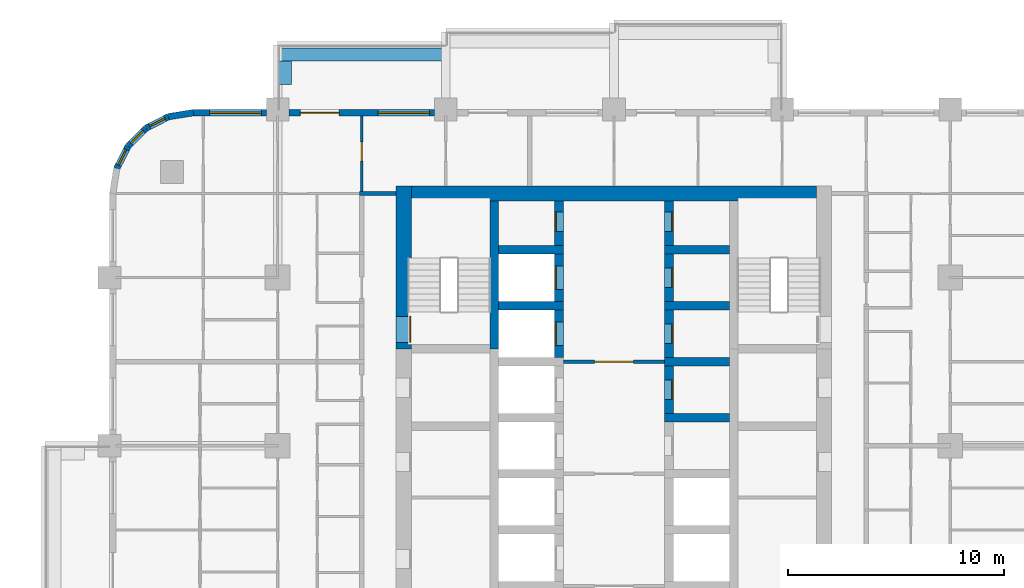
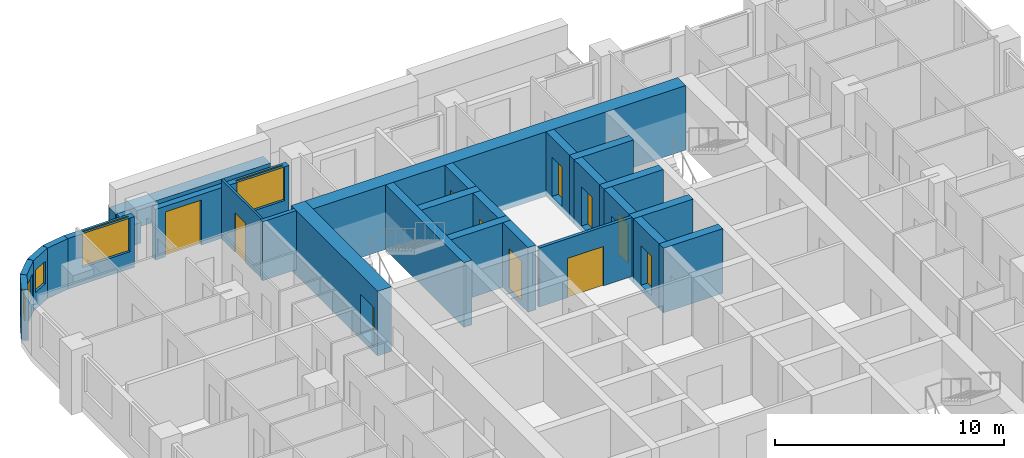
# One storey, part 11 of 17: 27 walls, 11 doors, 5 windows, 16 openings.
"""IFC4 building model written with IfcOpenShell, lengths in metres."""

from ifc_helpers import new_model, si_unit, direction, frame, frame_2d, origin, place, context, subcontext, project, spatial, rectangle, extrude, material, layer, layer_set, type_object, element, fill, save


model = new_model("IFC4")

# Units and contexts
model_context = context("Model", 3, precision=1e-05, world=origin(), true_north=direction((0.0, 1.0)))
body_context = subcontext(model_context, "Body", "Model", "MODEL_VIEW")
ifc_project = project(units=[si_unit("LENGTHUNIT", "METRE"), si_unit("AREAUNIT", "SQUARE_METRE"), si_unit("VOLUMEUNIT", "CUBIC_METRE"), si_unit("PLANEANGLEUNIT", "RADIAN"), si_unit("MASSUNIT", "GRAM", prefix="KILO")], contexts=[model_context])

# Site, building, storey
site_placement = place(None, origin())
site = spatial("IfcSite", under=ifc_project, at=site_placement, CompositionType="ELEMENT")
building_placement = place(site_placement, origin())
building = spatial("IfcBuilding", under=site, at=building_placement, Name="Ludao Terraces", CompositionType="ELEMENT")
storey_placement = place(building_placement, frame((0.0, 0.0, 51.199951171875)))
storey = spatial("IfcBuildingStorey", under=building, at=storey_placement, Name="L13", CompositionType="ELEMENT", Elevation=51.199951171875)

# Wall, opening, door
ifc_material_1 = material(Name="Concrete C70", Category="concrete")
ifc_layer_1 = layer(ifc_material_1, 0.699951171875)
ifc_layer_set_1 = layer_set([ifc_layer_1], Name="Core wall 700 C70")
wall_type_1 = type_object("IfcWallType", Name="Core wall 700 C70", PredefinedType="SOLIDWALL", material=ifc_layer_set_1)
wall_1_placement = place(storey_placement, frame((75.25, 77.300048828125, -0.300048828125), z_axis=(0.0, 0.0, 1.0), x_axis=(0.0, 1.0, 0.0)))
wall_1 = element("IfcWall", 1, at=wall_1_placement, inside=storey, type_object=wall_type_1, Name="Core wall L13 outer-W-S1", PredefinedType="SOLIDWALL", context=body_context, shape_type="SweptSolid", body=[
    extrude(rectangle(XDim=7.550048828125, YDim=0.699951171875, at=frame_2d((3.77490234375, 0.0))), origin(), (0.0, 0.0, 1.0), 3.4501953125),
])
opening_1_placement = place(wall_1_placement, frame((0.300048828125, 0.0, 0.300048828125)))
opening_1 = element("IfcOpeningElement", 2, at=opening_1_placement, cuts=wall_1, Name="Opening R04-131", PredefinedType="OPENING", context=body_context, shape_type="SweptSolid", body=[
    extrude(rectangle(XDim=1.199951171875, YDim=2.10009765625, at=frame_2d((0.60009765625, 1.050048828125))), frame((0.0, 0.35986328125, 0.0), z_axis=(0.0, -1.0, 0.0), x_axis=(1.0, 0.0, 0.0)), (0.0, 0.0, 1.0), 0.719970703125),
])
ifc_material_2 = material(Name="Steel Q235", Category="steel")
door_type_1 = type_object("IfcDoorType", Name="INT Stair door 1200", OperationType="DOUBLE_DOOR_SINGLE_SWING", PredefinedType="DOOR", material=ifc_material_2)
door_1_placement = place(opening_1_placement, origin())
door_1 = element("IfcDoor", 3, at=door_1_placement, inside=storey, type_object=door_type_1, Name="DOOR 131", OperationType="DOUBLE_DOOR_SINGLE_SWING", OverallHeight=2.10009765625, OverallWidth=1.199951171875, PredefinedType="DOOR", context=body_context, shape_type="SweptSolid", body=[
    extrude(rectangle(XDim=1.199951171875, YDim=2.10009765625, at=frame_2d((0.60009765625, 1.050048828125))), frame((0.0, -0.28515625, 0.0), z_axis=(0.0, -1.0, 0.0), x_axis=(1.0, 0.0, 0.0)), (0.0, 0.0, 1.0), 0.050048828125),
])
fill(opening_1, door_1)

# Walls
wall_2_placement = place(storey_placement, frame((75.60009765625, 84.5, -0.300048828125), z_axis=(0.0, 0.0, 1.0), x_axis=(1.0, 0.0, 0.0)))
element("IfcWall", 4, at=wall_2_placement, inside=storey, type_object=wall_type_1, Name="Core wall L13 outer-N", PredefinedType="SOLIDWALL", context=body_context, shape_type="SweptSolid", body=[
    extrude(rectangle(XDim=18.7998046875, YDim=0.699951171875, at=frame_2d((9.39990234375, 0.0))), origin(), (0.0, 0.0, 1.0), 3.4501953125),
])
ifc_material_3 = material(Name="Concrete C40", Category="concrete")
ifc_layer_2 = layer(ifc_material_3, 0.60009765625)
ifc_layer_set_2 = layer_set([ifc_layer_2], Name="ENV Planter trough 600")
wall_type_2 = type_object("IfcWallType", Name="ENV Planter trough 600", PredefinedType="USERDEFINED", material=ifc_layer_set_2)
wall_3_placement = place(storey_placement, frame((69.39990234375, 90.949951171875, 0.0), z_axis=(0.0, 0.0, 1.0), x_axis=(1.0, 0.0, 0.0)))
element("IfcWall", 5, at=wall_3_placement, inside=storey, type_object=wall_type_2, Name="PL-L13-N1", ObjectType="PLANTER", PredefinedType="USERDEFINED", context=body_context, shape_type="SweptSolid", body=[
    extrude(rectangle(XDim=7.800048828125, YDim=0.60009765625, at=frame_2d((3.89990234375, 0.0))), origin(), (0.0, 0.0, 1.0), 1.10009765625),
])
wall_4_placement = place(storey_placement, frame((69.75, 90.64990234375, 0.0), z_axis=(0.0, 0.0, 1.0), x_axis=(0.0, -1.0, 0.0)))
element("IfcWall", 6, at=wall_4_placement, inside=storey, type_object=wall_type_2, Name="PL-L13-N1-SA", ObjectType="PLANTER", PredefinedType="USERDEFINED", context=body_context, shape_type="SweptSolid", body=[
    extrude(rectangle(XDim=1.099853515625, YDim=0.60009765625, at=frame_2d((0.5498046875, 0.0))), origin(), (0.0, 0.0, 1.0), 1.10009765625),
])

# Wall, opening, window
ifc_material_4 = material(Name="Granite cladding", Category="masonry")
ifc_layer_3 = layer(ifc_material_4, 0.0400390625, Category="stone")
ifc_material_5 = material(Name="Mineral wool")
ifc_layer_4 = layer(ifc_material_5, 0.06005859375)
ifc_layer_5 = layer(ifc_material_3, 0.199951171875, Category="concrete")
ifc_layer_set_3 = layer_set([ifc_layer_3, ifc_layer_4, ifc_layer_5], Name="ENV Stone-clad wall 300")
wall_type_3 = type_object("IfcWallType", Name="ENV Stone-clad wall 300", PredefinedType="SOLIDWALL", material=ifc_layer_set_3)
wall_5_placement = place(storey_placement, frame((65.5, 88.25, 0.0), z_axis=(0.0, 0.0, 1.0), x_axis=(1.0, 0.0, 0.0)))
wall_5 = element("IfcWall", 7, at=wall_5_placement, inside=storey, type_object=wall_type_3, Name="EW-L13-N1", PredefinedType="SOLIDWALL", context=body_context, shape_type="SweptSolid", body=[
    extrude(rectangle(XDim=3.375, YDim=0.300048828125, at=frame_2d((1.6875, 0.0))), origin(), (0.0, 0.0, 1.0), 2.699951171875),
])
opening_2_placement = place(wall_5_placement, frame((0.75, 0.0, 0.89990234375)))
opening_2 = element("IfcOpeningElement", 8, at=opening_2_placement, cuts=wall_5, Name="Opening W1", PredefinedType="OPENING", context=body_context, shape_type="SweptSolid", body=[
    extrude(rectangle(XDim=2.39990234375, YDim=1.800048828125, at=frame_2d((1.199951171875, 0.89990234375))), frame((0.0, 0.16015625, 0.0), z_axis=(0.0, -1.0, 0.0), x_axis=(1.0, 0.0, 0.0)), (0.0, 0.0, 1.0), 0.320068359375),
])
ifc_material_6 = material(Name="Clear glass in aluminium frame", Category="aluminium")
ifc_layer_6 = layer(ifc_material_6, 0.06005859375)
ifc_layer_set_4 = layer_set([ifc_layer_6], Name="ENV Window W1 2400x1800")
window_type_1 = type_object("IfcWindowType", Name="ENV Window W1 2400x1800", PartitioningType="DOUBLE_PANEL_VERTICAL", PredefinedType="WINDOW", material=ifc_layer_set_4)
window_1_placement = place(opening_2_placement, origin())
window_1 = element("IfcWindow", 9, at=window_1_placement, inside=storey, type_object=window_type_1, Name="W-L13-N1-1", OverallHeight=1.800048828125, OverallWidth=2.39990234375, PartitioningType="DOUBLE_PANEL_VERTICAL", PredefinedType="WINDOW", context=body_context, shape_type="SweptSolid", body=[
    extrude(rectangle(XDim=2.39990234375, YDim=1.800048828125, at=frame_2d((1.199951171875, 0.89990234375))), frame((0.0, 0.030029296875, 0.0), z_axis=(0.0, -1.0, 0.0), x_axis=(1.0, 0.0, 0.0)), (0.0, 0.0, 1.0), 0.06005859375),
])
fill(opening_2, window_1)

# Wall, openings, door, window
wall_6_placement = place(storey_placement, frame((69.925048828125, 88.25, 0.0), z_axis=(0.0, 0.0, 1.0), x_axis=(1.0, 0.0, 0.0)))
wall_6 = element("IfcWall", 10, at=wall_6_placement, inside=storey, type_object=wall_type_3, Name="EW-L13-N2", PredefinedType="SOLIDWALL", context=body_context, shape_type="SweptSolid", body=[
    extrude(rectangle(XDim=6.75, YDim=0.300048828125, at=frame_2d((3.375, 0.0))), origin(), (0.0, 0.0, 1.0), 2.699951171875),
])
opening_3_placement = place(wall_6_placement, frame((0.52490234375, 0.0, 0.0)))
opening_3 = element("IfcOpeningElement", 11, at=opening_3_placement, cuts=wall_6, Name="Opening BD", PredefinedType="OPENING", context=body_context, shape_type="SweptSolid", body=[
    extrude(rectangle(XDim=1.800048828125, YDim=2.39990234375, at=frame_2d((0.89990234375, 1.199951171875))), frame((0.0, 0.16015625, 0.0), z_axis=(0.0, -1.0, 0.0), x_axis=(1.0, 0.0, 0.0)), (0.0, 0.0, 1.0), 0.320068359375),
])
opening_4_placement = place(wall_6_placement, frame((4.125, 0.0, 0.89990234375)))
opening_4 = element("IfcOpeningElement", 12, at=opening_4_placement, cuts=wall_6, Name="Opening W1", PredefinedType="OPENING", context=body_context, shape_type="SweptSolid", body=[
    extrude(rectangle(XDim=2.39990234375, YDim=1.800048828125, at=frame_2d((1.199951171875, 0.89990234375))), frame((0.0, 0.16015625, 0.0), z_axis=(0.0, -1.0, 0.0), x_axis=(1.0, 0.0, 0.0)), (0.0, 0.0, 1.0), 0.320068359375),
])
ifc_material_7 = material(Name="Aluminium glazed door", Category="aluminium")
ifc_layer_7 = layer(ifc_material_7, 0.06005859375)
ifc_layer_set_5 = layer_set([ifc_layer_7], Name="ENV Balcony door BD 1800x2400")
door_type_2 = type_object("IfcDoorType", Name="ENV Balcony door BD 1800x2400", OperationType="DOUBLE_DOOR_SINGLE_SWING", PredefinedType="DOOR", material=ifc_layer_set_5)
door_2_placement = place(opening_3_placement, origin())
door_2 = element("IfcDoor", 13, at=door_2_placement, inside=storey, type_object=door_type_2, Name="BD-L13-N2-1", OperationType="DOUBLE_DOOR_SINGLE_SWING", OverallHeight=2.39990234375, OverallWidth=1.800048828125, PredefinedType="DOOR", context=body_context, shape_type="SweptSolid", body=[
    extrude(rectangle(XDim=1.800048828125, YDim=2.39990234375, at=frame_2d((0.89990234375, 1.199951171875))), frame((0.0, 0.02490234375, 0.0), z_axis=(0.0, -1.0, 0.0), x_axis=(1.0, 0.0, 0.0)), (0.0, 0.0, 1.0), 0.050048828125),
])
fill(opening_3, door_2)
window_2_placement = place(opening_4_placement, origin())
window_2 = element("IfcWindow", 14, at=window_2_placement, inside=storey, type_object=window_type_1, Name="W-L13-N2-2", OverallHeight=1.800048828125, OverallWidth=2.39990234375, PartitioningType="DOUBLE_PANEL_VERTICAL", PredefinedType="WINDOW", context=body_context, shape_type="SweptSolid", body=[
    extrude(rectangle(XDim=2.39990234375, YDim=1.800048828125, at=frame_2d((1.199951171875, 0.89990234375))), frame((0.0, 0.030029296875, 0.0), z_axis=(0.0, -1.0, 0.0), x_axis=(1.0, 0.0, 0.0)), (0.0, 0.0, 1.0), 0.06005859375),
])
fill(opening_4, window_2)

# Wall
wall_7_placement = place(storey_placement, frame((65.5, 88.25, 0.0), z_axis=(0.0, 0.0, 1.0), x_axis=(-0.987678452879, -0.156496880861, 0.0)))
element("IfcWall", 15, at=wall_7_placement, inside=storey, type_object=wall_type_3, Name="EW-L13-NW1", PredefinedType="SOLIDWALL", context=body_context, shape_type="SweptSolid", body=[
    extrude(rectangle(XDim=1.173095703125, YDim=0.300048828125, at=frame_2d((0.58642578125, 0.0))), origin(), (0.0, 0.0, 1.0), 2.699951171875),
])

# Wall, opening, window
wall_8_placement = place(storey_placement, frame((64.34130859375, 88.06640625, 0.0), z_axis=(0.0, 0.0, 1.0), x_axis=(-0.890988677504, -0.454025524128, 0.0)))
wall_8 = element("IfcWall", 16, at=wall_8_placement, inside=storey, type_object=wall_type_3, Name="EW-L13-NW2", PredefinedType="SOLIDWALL", context=body_context, shape_type="SweptSolid", body=[
    extrude(rectangle(XDim=1.17333984375, YDim=0.300048828125, at=frame_2d((0.586669921875, 0.0))), origin(), (0.0, 0.0, 1.0), 2.699951171875),
])
opening_5_placement = place(wall_8_placement, frame((0.1865234375, 0.0, 0.89990234375)))
opening_5 = element("IfcOpeningElement", 17, at=opening_5_placement, cuts=wall_8, Name="Opening W3", PredefinedType="OPENING", context=body_context, shape_type="SweptSolid", body=[
    extrude(rectangle(XDim=0.800048828125, YDim=1.199951171875, at=frame_2d((0.39990234375, 0.60009765625))), frame((0.0, 0.16015625, 0.0), z_axis=(0.0, -1.0, 0.0), x_axis=(1.0, 0.0, 0.0)), (0.0, 0.0, 1.0), 0.320068359375),
])
ifc_layer_8 = layer(ifc_material_6, 0.06005859375)
ifc_layer_set_6 = layer_set([ifc_layer_8], Name="ENV Window W3 800x1200")
window_type_2 = type_object("IfcWindowType", Name="ENV Window W3 800x1200", PartitioningType="SINGLE_PANEL", PredefinedType="WINDOW", material=ifc_layer_set_6)
window_3_placement = place(opening_5_placement, origin())
window_3 = element("IfcWindow", 18, at=window_3_placement, inside=storey, type_object=window_type_2, Name="W-L13-NW2", OverallHeight=1.199951171875, OverallWidth=0.800048828125, PartitioningType="SINGLE_PANEL", PredefinedType="WINDOW", context=body_context, shape_type="SweptSolid", body=[
    extrude(rectangle(XDim=0.800048828125, YDim=1.199951171875, at=frame_2d((0.39990234375, 0.60009765625))), frame((0.0, 0.030029296875, 0.0), z_axis=(0.0, -1.0, 0.0), x_axis=(1.0, 0.0, 0.0)), (0.0, 0.0, 1.0), 0.06005859375),
])
fill(opening_5, window_3)

wall_9_placement = place(storey_placement, frame((63.2958984375, 87.53369140625, 0.0), z_axis=(0.0, 0.0, 1.0), x_axis=(-0.707106781187, -0.707106781187, 0.0)))
wall_9 = element("IfcWall", 19, at=wall_9_placement, inside=storey, type_object=wall_type_3, Name="EW-L13-NW3", PredefinedType="SOLIDWALL", context=body_context, shape_type="SweptSolid", body=[
    extrude(rectangle(XDim=1.173095703125, YDim=0.300048828125, at=frame_2d((0.58642578125, 0.0))), origin(), (0.0, 0.0, 1.0), 2.699951171875),
])
opening_6_placement = place(wall_9_placement, frame((0.1865234375, 0.0, 0.89990234375)))
opening_6 = element("IfcOpeningElement", 20, at=opening_6_placement, cuts=wall_9, Name="Opening W3", PredefinedType="OPENING", context=body_context, shape_type="SweptSolid", body=[
    extrude(rectangle(XDim=0.800048828125, YDim=1.199951171875, at=frame_2d((0.39990234375, 0.60009765625))), frame((0.0, 0.16015625, 0.0), z_axis=(0.0, -1.0, 0.0), x_axis=(1.0, 0.0, 0.0)), (0.0, 0.0, 1.0), 0.320068359375),
])
window_4_placement = place(opening_6_placement, origin())
window_4 = element("IfcWindow", 21, at=window_4_placement, inside=storey, type_object=window_type_2, Name="W-L13-NW3", OverallHeight=1.199951171875, OverallWidth=0.800048828125, PartitioningType="SINGLE_PANEL", PredefinedType="WINDOW", context=body_context, shape_type="SweptSolid", body=[
    extrude(rectangle(XDim=0.800048828125, YDim=1.199951171875, at=frame_2d((0.39990234375, 0.60009765625))), frame((0.0, 0.030029296875, 0.0), z_axis=(0.0, -1.0, 0.0), x_axis=(1.0, 0.0, 0.0)), (0.0, 0.0, 1.0), 0.06005859375),
])
fill(opening_6, window_4)

wall_10_placement = place(storey_placement, frame((62.46630859375, 86.7041015625, 0.0), z_axis=(0.0, 0.0, 1.0), x_axis=(-0.454025524128, -0.890988677504, 0.0)))
wall_10 = element("IfcWall", 22, at=wall_10_placement, inside=storey, type_object=wall_type_3, Name="EW-L13-NW4", PredefinedType="SOLIDWALL", context=body_context, shape_type="SweptSolid", body=[
    extrude(rectangle(XDim=1.17333984375, YDim=0.300048828125, at=frame_2d((0.586669921875, 0.0))), origin(), (0.0, 0.0, 1.0), 2.699951171875),
])
opening_7_placement = place(wall_10_placement, frame((0.1865234375, 0.0, 0.89990234375)))
opening_7 = element("IfcOpeningElement", 23, at=opening_7_placement, cuts=wall_10, Name="Opening W3", PredefinedType="OPENING", context=body_context, shape_type="SweptSolid", body=[
    extrude(rectangle(XDim=0.800048828125, YDim=1.199951171875, at=frame_2d((0.39990234375, 0.60009765625))), frame((0.0, 0.16015625, 0.0), z_axis=(0.0, -1.0, 0.0), x_axis=(1.0, 0.0, 0.0)), (0.0, 0.0, 1.0), 0.320068359375),
])
window_5_placement = place(opening_7_placement, origin())
window_5 = element("IfcWindow", 24, at=window_5_placement, inside=storey, type_object=window_type_2, Name="W-L13-NW4", OverallHeight=1.199951171875, OverallWidth=0.800048828125, PartitioningType="SINGLE_PANEL", PredefinedType="WINDOW", context=body_context, shape_type="SweptSolid", body=[
    extrude(rectangle(XDim=0.800048828125, YDim=1.199951171875, at=frame_2d((0.39990234375, 0.60009765625))), frame((0.0, 0.030029296875, 0.0), z_axis=(0.0, -1.0, 0.0), x_axis=(1.0, 0.0, 0.0)), (0.0, 0.0, 1.0), 0.06005859375),
])
fill(opening_7, window_5)

# Wall, opening, door
ifc_material_8 = material(Name="Fire-rated gypsum plasterboard", Category="gypsum")
ifc_layer_9 = layer(ifc_material_8, 0.012451171875, Category="gypsum")
ifc_layer_10 = layer(ifc_material_5, 0.10009765625, Name="insulation")
ifc_layer_11 = layer(ifc_material_2, 0.02490234375, Name="stud")
ifc_layer_12 = layer(ifc_material_8, 0.012451171875, Category="gypsum")
ifc_layer_set_7 = layer_set([ifc_layer_9, ifc_layer_10, ifc_layer_11, ifc_layer_12], Name="INT Core partition 150")
wall_type_4 = type_object("IfcWallType", Name="INT Core partition 150", PredefinedType="PARTITIONING", material=ifc_layer_set_7)
wall_11_placement = place(storey_placement, frame((82.650146484375, 76.699951171875, 0.0), z_axis=(0.0, 0.0, 1.0), x_axis=(1.0, 0.0, 0.0)))
wall_11 = element("IfcWall", 25, at=wall_11_placement, inside=storey, type_object=wall_type_4, Name="PW-L13-PW063", PredefinedType="PARTITIONING", context=body_context, shape_type="SweptSolid", body=[
    extrude(rectangle(XDim=4.699951171875, YDim=0.14990234375, at=frame_2d((2.35009765625, 0.0))), origin(), (0.0, 0.0, 1.0), 3.150146484375),
])
opening_8_placement = place(wall_11_placement, frame((1.449951171875, 0.0, 0.0)))
opening_8 = element("IfcOpeningElement", 26, at=opening_8_placement, cuts=wall_11, Name="Opening R04-125", PredefinedType="OPENING", context=body_context, shape_type="SweptSolid", body=[
    extrude(rectangle(XDim=1.800048828125, YDim=2.10009765625, at=frame_2d((0.89990234375, 1.050048828125))), frame((0.0, 0.0849609375, 0.0), z_axis=(0.0, -1.0, 0.0), x_axis=(1.0, 0.0, 0.0)), (0.0, 0.0, 1.0), 0.169921875),
])
door_type_3 = type_object("IfcDoorType", Name="INT Fire lobby door 1800", OperationType="DOUBLE_DOOR_SINGLE_SWING", PredefinedType="DOOR", material=ifc_material_2)
door_3_placement = place(opening_8_placement, origin())
door_3 = element("IfcDoor", 27, at=door_3_placement, inside=storey, type_object=door_type_3, Name="DOOR 125", OperationType="DOUBLE_DOOR_SINGLE_SWING", OverallHeight=2.10009765625, OverallWidth=1.800048828125, PredefinedType="DOOR", context=body_context, shape_type="SweptSolid", body=[
    extrude(rectangle(XDim=1.800048828125, YDim=2.10009765625, at=frame_2d((0.89990234375, 1.050048828125))), frame((0.0, 0.02490234375, 0.0), z_axis=(0.0, -1.0, 0.0), x_axis=(1.0, 0.0, 0.0)), (0.0, 0.0, 1.0), 0.050048828125),
])
fill(opening_8, door_3)

# Wall
ifc_material_9 = material(Name="Autoclaved aerated concrete block B06 A3.5", Category="concrete")
ifc_layer_13 = layer(ifc_material_9, 0.199951171875)
ifc_layer_set_8 = layer_set([ifc_layer_13], Name="INT Entrance wall 200")
wall_type_5 = type_object("IfcWallType", Name="INT Entrance wall 200", PredefinedType="PARTITIONING", material=ifc_layer_set_8)
wall_12_placement = place(storey_placement, frame((73.2001953125, 84.5, 0.0), z_axis=(0.0, 0.0, 1.0), x_axis=(1.0, 0.0, 0.0)))
element("IfcWall", 28, at=wall_12_placement, inside=storey, type_object=wall_type_5, Name="PW-L13-PW077", PredefinedType="PARTITIONING", context=body_context, shape_type="SweptSolid", body=[
    extrude(rectangle(XDim=1.699951171875, YDim=0.199951171875, at=frame_2d((0.85009765625, 0.0))), origin(), (0.0, 0.0, 1.0), 3.150146484375),
])

# Wall, opening, door
ifc_material_10 = material(Name="Gypsum plasterboard", Category="gypsum")
ifc_layer_14 = layer(ifc_material_10, 0.012451171875, Category="gypsum")
ifc_layer_15 = layer(ifc_material_5, 0.06005859375, Name="insulation")
ifc_layer_16 = layer(ifc_material_2, 0.014892578125, Name="stud")
ifc_layer_17 = layer(ifc_material_10, 0.012451171875, Category="gypsum")
ifc_layer_set_9 = layer_set([ifc_layer_14, ifc_layer_15, ifc_layer_16, ifc_layer_17], Name="INT Partition 100")
wall_type_6 = type_object("IfcWallType", Name="INT Partition 100", PredefinedType="PARTITIONING", material=ifc_layer_set_9)
wall_13_placement = place(storey_placement, frame((73.300048828125, 84.60009765625, 0.0), z_axis=(0.0, 0.0, 1.0), x_axis=(0.0, 1.0, 0.0)))
wall_13 = element("IfcWall", 29, at=wall_13_placement, inside=storey, type_object=wall_type_6, Name="PW-L13-PW090", PredefinedType="PARTITIONING", context=body_context, shape_type="SweptSolid", body=[
    extrude(rectangle(XDim=3.5, YDim=0.10009765625, at=frame_2d((1.75, 0.0))), origin(), (0.0, 0.0, 1.0), 3.150146484375),
])
opening_9_placement = place(wall_13_placement, frame((1.39990234375, 0.0, 0.0)))
opening_9 = element("IfcOpeningElement", 30, at=opening_9_placement, cuts=wall_13, Name="Opening R04-157", PredefinedType="OPENING", context=body_context, shape_type="SweptSolid", body=[
    extrude(rectangle(XDim=0.89990234375, YDim=2.10009765625, at=frame_2d((0.449951171875, 1.050048828125))), frame((0.0, 0.06005859375, 0.0), z_axis=(0.0, -1.0, 0.0), x_axis=(1.0, 0.0, 0.0)), (0.0, 0.0, 1.0), 0.1201171875),
])
ifc_material_11 = material(Name="Timber door leaf", Category="wood")
door_type_4 = type_object("IfcDoorType", Name="INT Room door 900", OperationType="SINGLE_SWING_LEFT", PredefinedType="DOOR", material=ifc_material_11)
door_4_placement = place(opening_9_placement, origin())
door_4 = element("IfcDoor", 31, at=door_4_placement, inside=storey, type_object=door_type_4, Name="DOOR 157", OperationType="SINGLE_SWING_LEFT", OverallHeight=2.10009765625, OverallWidth=0.89990234375, PredefinedType="DOOR", context=body_context, shape_type="SweptSolid", body=[
    extrude(rectangle(XDim=0.89990234375, YDim=2.10009765625, at=frame_2d((0.449951171875, 1.050048828125))), frame((0.0, 0.02490234375, 0.0), z_axis=(0.0, -1.0, 0.0), x_axis=(1.0, 0.0, 0.0)), (0.0, 0.0, 1.0), 0.050048828125),
])
fill(opening_9, door_4)

# Wall
ifc_material_12 = material(Name="Concrete C60", Category="concrete")
ifc_layer_18 = layer(ifc_material_12, 0.39990234375)
ifc_layer_set_10 = layer_set([ifc_layer_18], Name="Shaft wall 400 C60")
wall_type_7 = type_object("IfcWallType", Name="Shaft wall 400 C60", PredefinedType="SOLIDWALL", material=ifc_layer_set_10)
wall_14_placement = place(storey_placement, frame((79.449951171875, 77.300048828125, -0.300048828125), z_axis=(0.0, 0.0, 1.0), x_axis=(0.0, 1.0, 0.0)))
element("IfcWall", 32, at=wall_14_placement, inside=storey, type_object=wall_type_7, Name="Core wall L13 back-W-S1", PredefinedType="SOLIDWALL", context=body_context, shape_type="SweptSolid", body=[
    extrude(rectangle(XDim=6.849853515625, YDim=0.39990234375, at=frame_2d((3.4248046875, 0.0))), origin(), (0.0, 0.0, 1.0), 3.4501953125),
])

# Wall, opening, door
wall_15_placement = place(storey_placement, frame((82.449951171875, 76.89990234375, -0.300048828125), z_axis=(0.0, 0.0, 1.0), x_axis=(0.0, 1.0, 0.0)))
wall_15 = element("IfcWall", 33, at=wall_15_placement, inside=storey, type_object=wall_type_7, Name="Core wall L13 front-W7", PredefinedType="SOLIDWALL", context=body_context, shape_type="SweptSolid", body=[
    extrude(rectangle(XDim=2.2001953125, YDim=0.39990234375, at=frame_2d((1.10009765625, 0.0))), origin(), (0.0, 0.0, 1.0), 3.4501953125),
])
opening_10_placement = place(wall_15_placement, frame((0.550048828125, 0.0, 0.300048828125)))
opening_10 = element("IfcOpeningElement", 34, at=opening_10_placement, cuts=wall_15, Name="Opening LD-FF1", PredefinedType="OPENING", context=body_context, shape_type="SweptSolid", body=[
    extrude(rectangle(XDim=1.10009765625, YDim=2.10009765625, at=frame_2d((0.550048828125, 1.050048828125))), frame((0.0, 0.2099609375, 0.0), z_axis=(0.0, -1.0, 0.0), x_axis=(1.0, 0.0, 0.0)), (0.0, 0.0, 1.0), 0.419921875),
])
ifc_material_13 = material(Name="Stainless steel 304", Category="steel")
door_type_5 = type_object("IfcDoorType", Name="INT Lift landing door 1100", OperationType="SLIDING_TO_LEFT", PredefinedType="DOOR", material=ifc_material_13)
door_5_placement = place(opening_10_placement, origin())
door_5 = element("IfcDoor", 35, at=door_5_placement, inside=storey, type_object=door_type_5, Name="LANDING DOOR FF1 L13", OperationType="SLIDING_TO_LEFT", OverallHeight=2.10009765625, OverallWidth=1.10009765625, PredefinedType="DOOR", context=body_context, shape_type="SweptSolid", body=[
    extrude(rectangle(XDim=1.10009765625, YDim=2.10009765625, at=frame_2d((0.550048828125, 1.050048828125))), frame((0.0, 0.18505859375, 0.0), z_axis=(0.0, -1.0, 0.0), x_axis=(1.0, 0.0, 0.0)), (0.0, 0.0, 1.0), 0.050048828125),
])
fill(opening_10, door_5)

# Wall
wall_16_placement = place(storey_placement, frame((79.64990234375, 79.300048828125, -0.300048828125), z_axis=(0.0, 0.0, 1.0), x_axis=(1.0, 0.0, 0.0)))
element("IfcWall", 36, at=wall_16_placement, inside=storey, type_object=wall_type_7, Name="Core wall L13 div-W8", PredefinedType="SOLIDWALL", context=body_context, shape_type="SweptSolid", body=[
    extrude(rectangle(XDim=3.0, YDim=0.39990234375, at=frame_2d((1.5, 0.0))), origin(), (0.0, 0.0, 1.0), 3.4501953125),
])

# Wall, opening, door
wall_17_placement = place(storey_placement, frame((82.449951171875, 79.5, -0.300048828125), z_axis=(0.0, 0.0, 1.0), x_axis=(0.0, 1.0, 0.0)))
wall_17 = element("IfcWall", 37, at=wall_17_placement, inside=storey, type_object=wall_type_7, Name="Core wall L13 front-W8", PredefinedType="SOLIDWALL", context=body_context, shape_type="SweptSolid", body=[
    extrude(rectangle(XDim=2.199951171875, YDim=0.39990234375, at=frame_2d((1.10009765625, 0.0))), origin(), (0.0, 0.0, 1.0), 3.4501953125),
])
opening_11_placement = place(wall_17_placement, frame((0.550048828125, 0.0, 0.300048828125)))
opening_11 = element("IfcOpeningElement", 38, at=opening_11_placement, cuts=wall_17, Name="Opening LD-FF2", PredefinedType="OPENING", context=body_context, shape_type="SweptSolid", body=[
    extrude(rectangle(XDim=1.10009765625, YDim=2.10009765625, at=frame_2d((0.550048828125, 1.050048828125))), frame((0.0, 0.2099609375, 0.0), z_axis=(0.0, -1.0, 0.0), x_axis=(1.0, 0.0, 0.0)), (0.0, 0.0, 1.0), 0.419921875),
])
door_6_placement = place(opening_11_placement, origin())
door_6 = element("IfcDoor", 39, at=door_6_placement, inside=storey, type_object=door_type_5, Name="LANDING DOOR FF2 L13", OperationType="SLIDING_TO_LEFT", OverallHeight=2.10009765625, OverallWidth=1.10009765625, PredefinedType="DOOR", context=body_context, shape_type="SweptSolid", body=[
    extrude(rectangle(XDim=1.10009765625, YDim=2.10009765625, at=frame_2d((0.550048828125, 1.050048828125))), frame((0.0, 0.18505859375, 0.0), z_axis=(0.0, -1.0, 0.0), x_axis=(1.0, 0.0, 0.0)), (0.0, 0.0, 1.0), 0.050048828125),
])
fill(opening_11, door_6)

# Wall
wall_18_placement = place(storey_placement, frame((79.64990234375, 81.89990234375, -0.300048828125), z_axis=(0.0, 0.0, 1.0), x_axis=(1.0, 0.0, 0.0)))
element("IfcWall", 40, at=wall_18_placement, inside=storey, type_object=wall_type_7, Name="Core wall L13 div-W9", PredefinedType="SOLIDWALL", context=body_context, shape_type="SweptSolid", body=[
    extrude(rectangle(XDim=3.0, YDim=0.39990234375, at=frame_2d((1.5, 0.0))), origin(), (0.0, 0.0, 1.0), 3.4501953125),
])

# Wall, opening, door
wall_19_placement = place(storey_placement, frame((82.449951171875, 82.10009765625, -0.300048828125), z_axis=(0.0, 0.0, 1.0), x_axis=(0.0, 1.0, 0.0)))
wall_19 = element("IfcWall", 41, at=wall_19_placement, inside=storey, type_object=wall_type_7, Name="Core wall L13 front-W9", PredefinedType="SOLIDWALL", context=body_context, shape_type="SweptSolid", body=[
    extrude(rectangle(XDim=2.0498046875, YDim=0.39990234375, at=frame_2d((1.02490234375, 0.0))), origin(), (0.0, 0.0, 1.0), 3.4501953125),
])
opening_12_placement = place(wall_19_placement, frame((0.64990234375, 0.0, 0.300048828125)))
opening_12 = element("IfcOpeningElement", 42, at=opening_12_placement, cuts=wall_19, Name="Opening R04-148", PredefinedType="OPENING", context=body_context, shape_type="SweptSolid", body=[
    extrude(rectangle(XDim=0.89990234375, YDim=2.10009765625, at=frame_2d((0.449951171875, 1.050048828125))), frame((0.0, 0.2099609375, 0.0), z_axis=(0.0, -1.0, 0.0), x_axis=(1.0, 0.0, 0.0)), (0.0, 0.0, 1.0), 0.419921875),
])
door_7_placement = place(opening_12_placement, origin())
door_7 = element("IfcDoor", 43, at=door_7_placement, inside=storey, type_object=door_type_4, Name="DOOR 148", OperationType="SINGLE_SWING_RIGHT", OverallHeight=2.10009765625, OverallWidth=0.89990234375, PredefinedType="DOOR", context=body_context, shape_type="SweptSolid", body=[
    extrude(rectangle(XDim=0.89990234375, YDim=2.10009765625, at=frame_2d((0.449951171875, 1.050048828125))), frame((0.0, 0.18505859375, 0.0), z_axis=(0.0, -1.0, 0.0), x_axis=(1.0, 0.0, 0.0)), (0.0, 0.0, 1.0), 0.050048828125),
])
fill(opening_12, door_7)

# Wall
wall_20_placement = place(storey_placement, frame((87.35009765625, 74.10009765625, -0.300048828125), z_axis=(0.0, 0.0, 1.0), x_axis=(1.0, 0.0, 0.0)))
element("IfcWall", 44, at=wall_20_placement, inside=storey, type_object=wall_type_7, Name="Core wall L13 div-E6", PredefinedType="SOLIDWALL", context=body_context, shape_type="SweptSolid", body=[
    extrude(rectangle(XDim=3.0, YDim=0.39990234375, at=frame_2d((1.5, 0.0))), origin(), (0.0, 0.0, 1.0), 3.4501953125),
])

# Wall, opening, door
wall_21_placement = place(storey_placement, frame((87.550048828125, 74.300048828125, -0.300048828125), z_axis=(0.0, 0.0, 1.0), x_axis=(0.0, 1.0, 0.0)))
wall_21 = element("IfcWall", 45, at=wall_21_placement, inside=storey, type_object=wall_type_7, Name="Core wall L13 front-E6", PredefinedType="SOLIDWALL", context=body_context, shape_type="SweptSolid", body=[
    extrude(rectangle(XDim=2.199951171875, YDim=0.39990234375, at=frame_2d((1.10009765625, 0.0))), origin(), (0.0, 0.0, 1.0), 3.4501953125),
])
opening_13_placement = place(wall_21_placement, frame((0.64990234375, 0.0, 0.300048828125)))
opening_13 = element("IfcOpeningElement", 46, at=opening_13_placement, cuts=wall_21, Name="Opening R04-116", PredefinedType="OPENING", context=body_context, shape_type="SweptSolid", body=[
    extrude(rectangle(XDim=0.89990234375, YDim=2.10009765625, at=frame_2d((0.449951171875, 1.050048828125))), frame((0.0, 0.2099609375, 0.0), z_axis=(0.0, -1.0, 0.0), x_axis=(1.0, 0.0, 0.0)), (0.0, 0.0, 1.0), 0.419921875),
])
door_8_placement = place(opening_13_placement, origin())
door_8 = element("IfcDoor", 47, at=door_8_placement, inside=storey, type_object=door_type_4, Name="DOOR 116", OperationType="SINGLE_SWING_LEFT", OverallHeight=2.10009765625, OverallWidth=0.89990234375, PredefinedType="DOOR", context=body_context, shape_type="SweptSolid", body=[
    extrude(rectangle(XDim=0.89990234375, YDim=2.10009765625, at=frame_2d((0.449951171875, 1.050048828125))), frame((0.0, -0.134765625, 0.0), z_axis=(0.0, -1.0, 0.0), x_axis=(1.0, 0.0, 0.0)), (0.0, 0.0, 1.0), 0.050048828125),
])
fill(opening_13, door_8)

# Wall
wall_22_placement = place(storey_placement, frame((87.35009765625, 76.699951171875, -0.300048828125), z_axis=(0.0, 0.0, 1.0), x_axis=(1.0, 0.0, 0.0)))
element("IfcWall", 48, at=wall_22_placement, inside=storey, type_object=wall_type_7, Name="Core wall L13 div-E7", PredefinedType="SOLIDWALL", context=body_context, shape_type="SweptSolid", body=[
    extrude(rectangle(XDim=3.0, YDim=0.39990234375, at=frame_2d((1.5, 0.0))), origin(), (0.0, 0.0, 1.0), 3.4501953125),
])

# Wall, opening, door
wall_23_placement = place(storey_placement, frame((87.550048828125, 76.89990234375, -0.300048828125), z_axis=(0.0, 0.0, 1.0), x_axis=(0.0, 1.0, 0.0)))
wall_23 = element("IfcWall", 49, at=wall_23_placement, inside=storey, type_object=wall_type_7, Name="Core wall L13 front-E7", PredefinedType="SOLIDWALL", context=body_context, shape_type="SweptSolid", body=[
    extrude(rectangle(XDim=2.2001953125, YDim=0.39990234375, at=frame_2d((1.10009765625, 0.0))), origin(), (0.0, 0.0, 1.0), 3.4501953125),
])
opening_14_placement = place(wall_23_placement, frame((0.64990234375, 0.0, 0.300048828125)))
opening_14 = element("IfcOpeningElement", 50, at=opening_14_placement, cuts=wall_23, Name="Opening R04-130", PredefinedType="OPENING", context=body_context, shape_type="SweptSolid", body=[
    extrude(rectangle(XDim=0.89990234375, YDim=2.10009765625, at=frame_2d((0.449951171875, 1.050048828125))), frame((0.0, 0.2099609375, 0.0), z_axis=(0.0, -1.0, 0.0), x_axis=(1.0, 0.0, 0.0)), (0.0, 0.0, 1.0), 0.419921875),
])
door_9_placement = place(opening_14_placement, origin())
door_9 = element("IfcDoor", 51, at=door_9_placement, inside=storey, type_object=door_type_4, Name="DOOR 130", OperationType="SINGLE_SWING_RIGHT", OverallHeight=2.10009765625, OverallWidth=0.89990234375, PredefinedType="DOOR", context=body_context, shape_type="SweptSolid", body=[
    extrude(rectangle(XDim=0.89990234375, YDim=2.10009765625, at=frame_2d((0.449951171875, 1.050048828125))), frame((0.0, -0.134765625, 0.0), z_axis=(0.0, -1.0, 0.0), x_axis=(1.0, 0.0, 0.0)), (0.0, 0.0, 1.0), 0.050048828125),
])
fill(opening_14, door_9)

# Wall
wall_24_placement = place(storey_placement, frame((87.35009765625, 79.300048828125, -0.300048828125), z_axis=(0.0, 0.0, 1.0), x_axis=(1.0, 0.0, 0.0)))
element("IfcWall", 52, at=wall_24_placement, inside=storey, type_object=wall_type_7, Name="Core wall L13 div-E8", PredefinedType="SOLIDWALL", context=body_context, shape_type="SweptSolid", body=[
    extrude(rectangle(XDim=3.0, YDim=0.39990234375, at=frame_2d((1.5, 0.0))), origin(), (0.0, 0.0, 1.0), 3.4501953125),
])

# Wall, opening, door
wall_25_placement = place(storey_placement, frame((87.550048828125, 79.5, -0.300048828125), z_axis=(0.0, 0.0, 1.0), x_axis=(0.0, 1.0, 0.0)))
wall_25 = element("IfcWall", 53, at=wall_25_placement, inside=storey, type_object=wall_type_7, Name="Core wall L13 front-E8", PredefinedType="SOLIDWALL", context=body_context, shape_type="SweptSolid", body=[
    extrude(rectangle(XDim=2.199951171875, YDim=0.39990234375, at=frame_2d((1.10009765625, 0.0))), origin(), (0.0, 0.0, 1.0), 3.4501953125),
])
opening_15_placement = place(wall_25_placement, frame((0.64990234375, 0.0, 0.300048828125)))
opening_15 = element("IfcOpeningElement", 54, at=opening_15_placement, cuts=wall_25, Name="Opening R04-142", PredefinedType="OPENING", context=body_context, shape_type="SweptSolid", body=[
    extrude(rectangle(XDim=0.89990234375, YDim=2.10009765625, at=frame_2d((0.449951171875, 1.050048828125))), frame((0.0, 0.2099609375, 0.0), z_axis=(0.0, -1.0, 0.0), x_axis=(1.0, 0.0, 0.0)), (0.0, 0.0, 1.0), 0.419921875),
])
door_10_placement = place(opening_15_placement, origin())
door_10 = element("IfcDoor", 55, at=door_10_placement, inside=storey, type_object=door_type_4, Name="DOOR 142", OperationType="SINGLE_SWING_RIGHT", OverallHeight=2.10009765625, OverallWidth=0.89990234375, PredefinedType="DOOR", context=body_context, shape_type="SweptSolid", body=[
    extrude(rectangle(XDim=0.89990234375, YDim=2.10009765625, at=frame_2d((0.449951171875, 1.050048828125))), frame((0.0, -0.134765625, 0.0), z_axis=(0.0, -1.0, 0.0), x_axis=(1.0, 0.0, 0.0)), (0.0, 0.0, 1.0), 0.050048828125),
])
fill(opening_15, door_10)

# Wall
wall_26_placement = place(storey_placement, frame((87.35009765625, 81.89990234375, -0.300048828125), z_axis=(0.0, 0.0, 1.0), x_axis=(1.0, 0.0, 0.0)))
element("IfcWall", 56, at=wall_26_placement, inside=storey, type_object=wall_type_7, Name="Core wall L13 div-E9", PredefinedType="SOLIDWALL", context=body_context, shape_type="SweptSolid", body=[
    extrude(rectangle(XDim=3.0, YDim=0.39990234375, at=frame_2d((1.5, 0.0))), origin(), (0.0, 0.0, 1.0), 3.4501953125),
])

# Wall, opening, door
wall_27_placement = place(storey_placement, frame((87.550048828125, 82.10009765625, -0.300048828125), z_axis=(0.0, 0.0, 1.0), x_axis=(0.0, 1.0, 0.0)))
wall_27 = element("IfcWall", 57, at=wall_27_placement, inside=storey, type_object=wall_type_7, Name="Core wall L13 front-E9", PredefinedType="SOLIDWALL", context=body_context, shape_type="SweptSolid", body=[
    extrude(rectangle(XDim=2.0498046875, YDim=0.39990234375, at=frame_2d((1.02490234375, 0.0))), origin(), (0.0, 0.0, 1.0), 3.4501953125),
])
opening_16_placement = place(wall_27_placement, frame((0.64990234375, 0.0, 0.300048828125)))
opening_16 = element("IfcOpeningElement", 58, at=opening_16_placement, cuts=wall_27, Name="Opening R04-149", PredefinedType="OPENING", context=body_context, shape_type="SweptSolid", body=[
    extrude(rectangle(XDim=0.89990234375, YDim=2.10009765625, at=frame_2d((0.449951171875, 1.050048828125))), frame((0.0, 0.2099609375, 0.0), z_axis=(0.0, -1.0, 0.0), x_axis=(1.0, 0.0, 0.0)), (0.0, 0.0, 1.0), 0.419921875),
])
door_11_placement = place(opening_16_placement, origin())
door_11 = element("IfcDoor", 59, at=door_11_placement, inside=storey, type_object=door_type_4, Name="DOOR 149", OperationType="SINGLE_SWING_LEFT", OverallHeight=2.10009765625, OverallWidth=0.89990234375, PredefinedType="DOOR", context=body_context, shape_type="SweptSolid", body=[
    extrude(rectangle(XDim=0.89990234375, YDim=2.10009765625, at=frame_2d((0.449951171875, 1.050048828125))), frame((0.0, -0.134765625, 0.0), z_axis=(0.0, -1.0, 0.0), x_axis=(1.0, 0.0, 0.0)), (0.0, 0.0, 1.0), 0.050048828125),
])
fill(opening_16, door_11)

save(model, "model.ifc")
